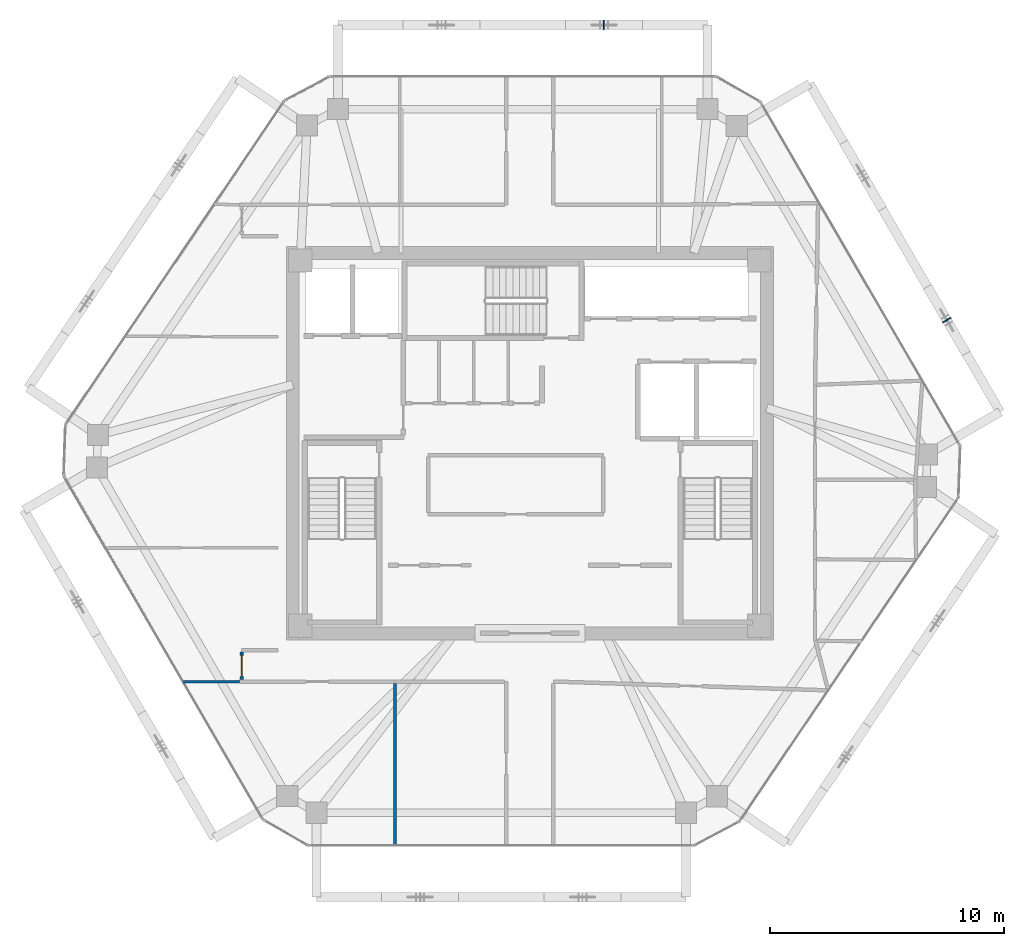
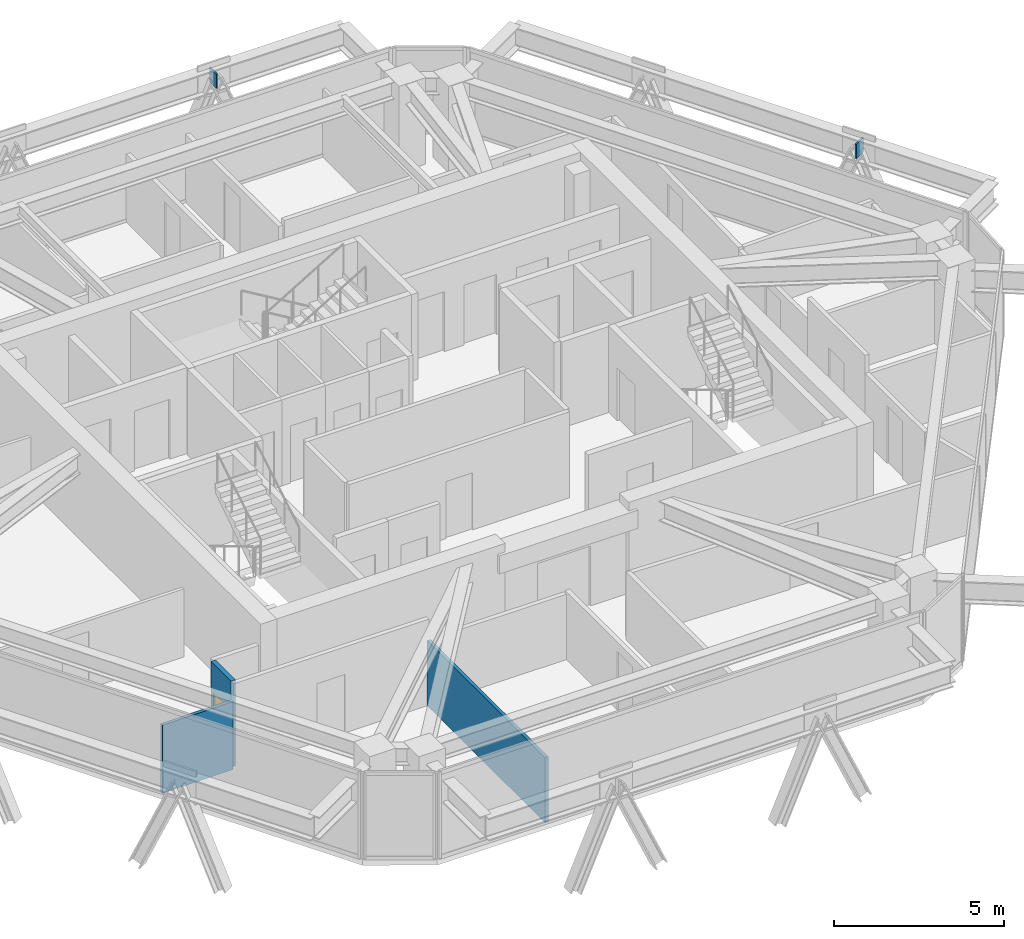
# One storey, part 9 of 14: 3 walls, 2 plates, 1 door, 1 opening.
"""IFC4 building model written with IfcOpenShell, lengths in metres."""

from ifc_helpers import new_model, si_unit, direction, frame, frame_2d, origin, origin_2d, place, context, subcontext, project, spatial, rectangle, extrude, source, transform, mapped, material, layer, layer_set, type_object, type_shapes, element, fill, save


model = new_model("IFC4")

# Units and contexts
model_context = context("Model", 3, precision=1e-05, world=origin(), true_north=direction((0.0, 1.0)))
body_context = subcontext(model_context, "Body", "Model", "MODEL_VIEW")
ifc_project = project(units=[si_unit("LENGTHUNIT", "METRE"), si_unit("AREAUNIT", "SQUARE_METRE"), si_unit("VOLUMEUNIT", "CUBIC_METRE"), si_unit("PLANEANGLEUNIT", "RADIAN"), si_unit("MASSUNIT", "GRAM", prefix="KILO")], contexts=[model_context])

# Site, building, storey
site_placement = place(None, origin())
site = spatial("IfcSite", under=ifc_project, at=site_placement, CompositionType="ELEMENT")
building_placement = place(site_placement, origin())
building = spatial("IfcBuilding", under=site, at=building_placement, Name="Durnholm Broadcast Tower", CompositionType="ELEMENT")
storey_placement = place(building_placement, frame((0.0, 0.0, 261.5)))
storey = spatial("IfcBuildingStorey", under=building, at=storey_placement, Name="L73", CompositionType="ELEMENT", Elevation=261.5)

# Plates
ifc_material_1 = material(Name="Steel ASTM A572 Grade 50", Category="steel")
ifc_layer_1 = layer(ifc_material_1, 0.044921875)
ifc_layer_set_1 = layer_set([ifc_layer_1], Name="Steel ASTM A572 Grade 50")
plate_type = type_object("IfcPlateType", Name="PLT-KN-STIF", PredefinedType="SHEET", material=ifc_layer_set_1)
shared_shape_1 = source(origin(), body_context, "Body", "SweptSolid", [
    extrude(rectangle(XDim=0.044921875, YDim=0.419921875, at=origin_2d()), origin(), (0.0, 0.0, 1.0), 0.52001953125),
])
type_shapes(plate_type, [shared_shape_1])
for number, where, z_axis, x_axis, name in (
    (1, (17.806640625, 5.2548828125, 2.08837890625), (0.0, 0.0, 1.0), (-0.501963660617, 0.864888711581, 0.0), "L73 welded diagrid node stiffener plate F3"),
    (2, (3.164794921875, 17.862060546875, 2.08837890625), (0.0, 0.0, 1.0), (-1.0, 0.0, 0.0), "L73 welded diagrid node stiffener plate F4"),
):
    element("IfcPlate", number, at=place(storey_placement, frame(where, z_axis=z_axis, x_axis=x_axis)), inside=storey, type_object=plate_type, Name=name, PredefinedType="SHEET", context=body_context, shape_type="MappedRepresentation", body=[
        mapped(shared_shape_1, transform((0.0, 0.0, 0.0), x_axis=(1.0, 0.0, 0.0), y_axis=(0.0, 1.0, 0.0), z_axis=(0.0, 0.0, 1.0), scale=1.0)),
    ])

# Walls
ifc_material_2 = material(Name="Operable Acoustic Panel Partition", Category="aluminium")
ifc_layer_2 = layer(ifc_material_2, 0.110107421875)
ifc_layer_set_2 = layer_set([ifc_layer_2], Name="Operable Acoustic Panel Partition")
wall_type_1 = type_object("IfcWallType", Name="WALL-MOV-110", PredefinedType="MOVABLE", material=ifc_layer_set_2)
wall_1_placement = place(storey_placement, frame((-5.760009765625, -10.259033203125, 0.0), z_axis=(0.0, 0.0, 1.0), x_axis=(0.0, -1.0, 0.0)))
element("IfcWall", 3, at=wall_1_placement, inside=storey, type_object=wall_type_1, Name="L73 room dividing partition 16.17", PredefinedType="MOVABLE", context=body_context, shape_type="SweptSolid", body=[
    extrude(rectangle(XDim=6.927001953125, YDim=0.110107421875, at=frame_2d((3.46337890625, 0.0))), origin(), (0.0, 0.0, 1.0), 2.34130859375),
])
wall_2_placement = place(storey_placement, frame((-14.801513671875, -10.199951171875, 0.0), z_axis=(0.0, 0.0, 1.0), x_axis=(0.999968020968, 0.007997314604, 0.0)))
element("IfcWall", 4, at=wall_2_placement, inside=storey, type_object=wall_type_1, Name="L73 room dividing partition 16.19", PredefinedType="MOVABLE", context=body_context, shape_type="SweptSolid", body=[
    extrude(rectangle(XDim=2.41162109375, YDim=0.110107421875, at=frame_2d((1.205810546875, 0.0))), origin(), (0.0, 0.0, 1.0), 2.438720703125),
])

# Wall, opening, door
ifc_material_3 = material(Name="Acoustic Gypsum Stud Partition", Category="concrete")
ifc_layer_3 = layer(ifc_material_3, 0.14990234375)
ifc_layer_set_3 = layer_set([ifc_layer_3], Name="Acoustic Gypsum Stud Partition")
wall_type_2 = type_object("IfcWallType", Name="WALL-PART-150", PredefinedType="PARTITIONING", material=ifc_layer_set_3)
wall_3_placement = place(storey_placement, frame((-12.31005859375, -8.9189453125, 0.0), z_axis=(0.0, 0.0, 1.0), x_axis=(0.0, -1.0, 0.0)))
wall_3 = element("IfcWall", 5, at=wall_3_placement, inside=storey, type_object=wall_type_2, Name="L73 Executive Study Office corridor partition", PredefinedType="PARTITIONING", context=body_context, shape_type="SweptSolid", body=[
    extrude(rectangle(XDim=1.18212890625, YDim=0.14990234375, at=frame_2d((0.591064453125, 0.0))), origin(), (0.0, 0.0, 1.0), 3.0849609375),
])
opening_placement = place(wall_3_placement, frame((0.14111328125, 0.0, 0.0)))
opening = element("IfcOpeningElement", 6, at=opening_placement, cuts=wall_3, Name="Opening DW-90R", PredefinedType="OPENING", context=body_context, shape_type="SweptSolid", body=[
    extrude(rectangle(XDim=0.89990234375, YDim=2.050048828125, at=frame_2d((0.449951171875, 1.02490234375))), frame((0.0, 0.0849609375, 0.0), z_axis=(0.0, -1.0, 0.0), x_axis=(1.0, 0.0, 0.0)), (0.0, 0.0, 1.0), 0.169921875),
])
ifc_material_4 = material(Name="Laminate Restroom Door", Category="steel")
ifc_layer_4 = layer(ifc_material_4, 0.050048828125)
ifc_layer_set_4 = layer_set([ifc_layer_4], Name="Laminate Restroom Door")
door_type = type_object("IfcDoorType", Name="DOOR-WC-900R", OperationType="NOTDEFINED", PredefinedType="DOOR", material=ifc_layer_set_4)
shared_shape_2 = source(origin(), body_context, "Body", "SweptSolid", [
    extrude(rectangle(XDim=0.89990234375, YDim=2.050048828125, at=frame_2d((0.449951171875, 1.02490234375))), frame((0.0, 0.02490234375, 0.0), z_axis=(0.0, -1.0, 0.0), x_axis=(1.0, 0.0, 0.0)), (0.0, 0.0, 1.0), 0.050048828125),
])
type_shapes(door_type, [shared_shape_2])
door_placement = place(opening_placement, origin())
door = element("IfcDoor", 7, at=door_placement, inside=storey, type_object=door_type, Name="L73 Executive Study Office entrance door", OperationType="SINGLE_SWING_RIGHT", OverallHeight=2.050048828125, OverallWidth=0.89990234375, PredefinedType="DOOR", context=body_context, shape_type="MappedRepresentation", body=[
    mapped(shared_shape_2, transform((0.0, 0.0, 0.0), x_axis=(1.0, 0.0, 0.0), y_axis=(0.0, 1.0, 0.0), z_axis=(0.0, 0.0, 1.0), scale=1.0)),
])
fill(opening, door)

save(model, "model.ifc")
